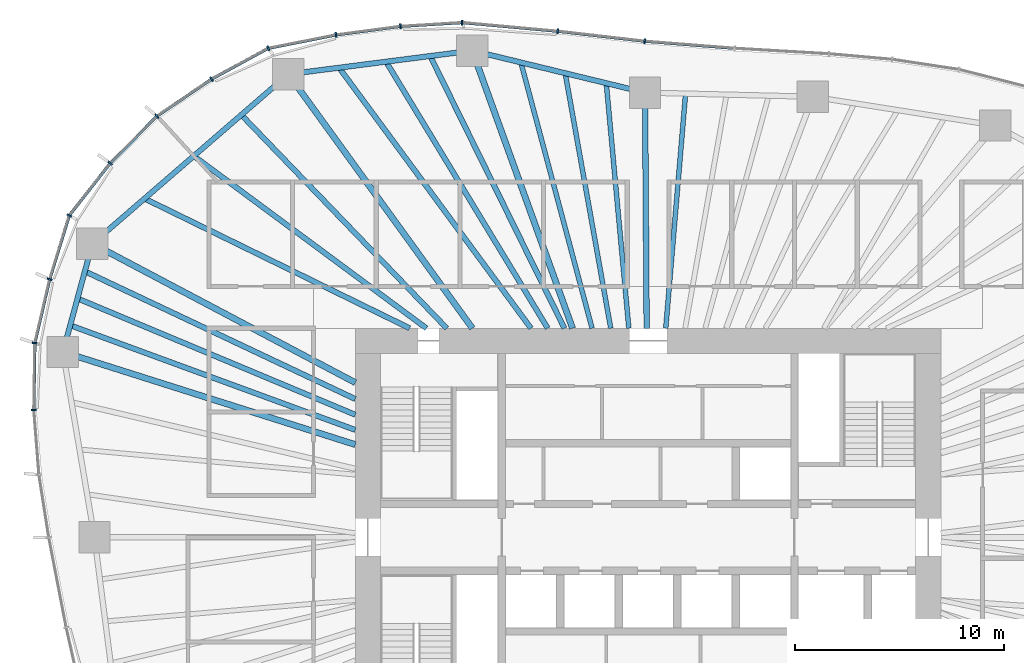
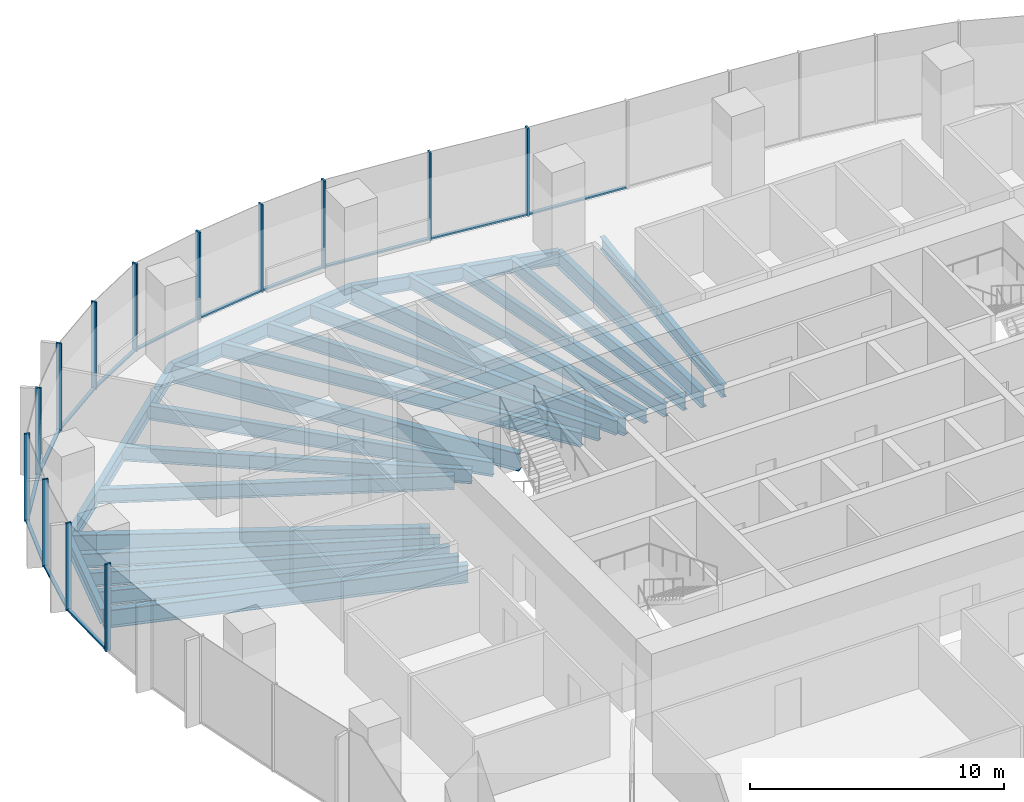
# One storey, part 5 of 18: 26 members, 22 beams, 6 elements without a shape of their own.
"""IFC4 building model written with IfcOpenShell, lengths in metres."""

import ifcopenshell
import ifcopenshell.guid

model = None  # the IFC model being written
_history = None  # IfcOwnerHistory: only IFC2X3 demands one
_inside = {}  # id of a spatial element -> (the spatial element, [elements in it])
_under = {}  # id of a project, library or spatial element -> (it, [spatial elements below it])
_declared = {}  # id of a project -> (the project, [libraries it declares])
_typed = {}  # id of a type object -> (the type object, [elements of that type])
_made_of = {}  # id of a material, layer set ... -> (it, [elements and type objects made of it])


def new_model(schema):
    """Start an empty IFC model of exactly this schema.

    Asked for "IFC4X3", IfcOpenShell would pick the latest addendum, in which some entities
    have other attributes; the version numbers below select the first issue.
    IFC2X3 requires an IfcOwnerHistory on every rooted entity: one is made here for all.
    """
    global model, _history
    if schema == "IFC4X3":
        model = ifcopenshell.file(schema_version=(4, 3, 0, 0))
    else:
        model = ifcopenshell.file(schema=schema)
    _inside.clear()
    _under.clear()
    _declared.clear()
    _typed.clear()
    _made_of.clear()
    _history = None
    if model.schema == "IFC2X3":
        org = make("IfcOrganization", Name="unknown")
        user = make(
            "IfcPersonAndOrganization",
            ThePerson=make("IfcPerson", FamilyName="unknown"),
            TheOrganization=org,
        )
        app = make(
            "IfcApplication",
            ApplicationDeveloper=org,
            Version="unknown",
            ApplicationFullName="unknown",
            ApplicationIdentifier="unknown",
        )
        _history = make(
            "IfcOwnerHistory",
            OwningUser=user,
            OwningApplication=app,
            ChangeAction="ADDED",
            CreationDate=0,
        )
    return model


def make(cls, **values):
    """One entity of the class cls with the attributes given. An attribute that is None is left unset."""
    return model.create_entity(
        cls, **{name: value for name, value in values.items() if value is not None}
    )


def rooted(cls, **values):
    """An entity with a GlobalId (a new one), such as an element, a storey or a relation."""
    return make(cls, GlobalId=ifcopenshell.guid.new(), OwnerHistory=_history, **values)


def si_unit(unit_type, name, prefix=None):
    """IfcSIUnit, for example si_unit("LENGTHUNIT", "METRE", prefix="MILLI")."""
    return make("IfcSIUnit", UnitType=unit_type, Prefix=prefix, Name=name)


def assignment(units):
    """IfcUnitAssignment: the units of a project."""
    return None if units is None else make("IfcUnitAssignment", Units=units)


def point(xyz):
    """IfcCartesianPoint."""
    return None if xyz is None else make("IfcCartesianPoint", Coordinates=xyz)


def direction(xyz):
    """IfcDirection."""
    return None if xyz is None else make("IfcDirection", DirectionRatios=xyz)


def frame(location, z_axis=None, x_axis=None):
    """IfcAxis2Placement3D, a coordinate frame: its origin and axes. An axis left out is left unset."""
    return make(
        "IfcAxis2Placement3D",
        Location=point(location),
        Axis=direction(z_axis),
        RefDirection=direction(x_axis),
    )


def frame_2d(location, x_axis=None):
    """IfcAxis2Placement2D, a coordinate frame in the plane: its origin and x axis."""
    return make(
        "IfcAxis2Placement2D", Location=point(location), RefDirection=direction(x_axis)
    )


def origin():
    """The frame at (0, 0, 0) with its axes left unset."""
    return frame((0.0, 0.0, 0.0))


def origin_2d():
    """The frame at (0, 0) in the plane with its x axis left unset."""
    return frame_2d((0.0, 0.0))


def place(relative_to, where):
    """IfcLocalPlacement: puts the frame where relative to a parent placement (None: the world)."""
    return make(
        "IfcLocalPlacement", PlacementRelTo=relative_to, RelativePlacement=where
    )


def context(
    kind, dimensions, precision=None, world=None, true_north=None, identifier=None
):
    """IfcGeometricRepresentationContext, for example the 3D "Model" context."""
    return make(
        "IfcGeometricRepresentationContext",
        ContextIdentifier=identifier,
        ContextType=kind,
        CoordinateSpaceDimension=dimensions,
        Precision=precision,
        WorldCoordinateSystem=world,
        TrueNorth=true_north,
    )


def subcontext(parent, identifier, kind, view, scale=None):
    """IfcGeometricRepresentationSubContext, for example "Body" below "Model"."""
    return make(
        "IfcGeometricRepresentationSubContext",
        ContextIdentifier=identifier,
        ContextType=kind,
        ParentContext=parent,
        TargetScale=scale,
        TargetView=view,
    )


def project(units=None, contexts=None):
    """IfcProject with its units and contexts."""
    return rooted(
        "IfcProject",
        Name="project",
        RepresentationContexts=contexts,
        UnitsInContext=assignment(units),
    )


def spatial(cls, under=None, at=None, **own):
    """A site, building, storey or space (cls), placed at a placement, below another one or the project."""
    s = rooted(cls, ObjectPlacement=at, **own)
    if under is not None:
        _under.setdefault(under.id(), (under, []))[1].append(s)
    return s


def profile(cls, at=None, kind="AREA", **sizes):
    """A parametric profile (cls). Its sizes go by their IFC names, for example OverallWidth=200.0."""
    return make(cls, ProfileType=kind, Position=at, **sizes)


def rectangle(**sizes):
    """IfcRectangleProfileDef."""
    return profile("IfcRectangleProfileDef", **sizes)


def i_section(**sizes):
    """IfcIShapeProfileDef."""
    return profile("IfcIShapeProfileDef", **sizes)


def extrude(swept, where, along, depth):
    """IfcExtrudedAreaSolid: the profile swept, set in the frame where, extruded along a direction by depth."""
    return make(
        "IfcExtrudedAreaSolid",
        SweptArea=swept,
        Position=where,
        ExtrudedDirection=direction(along),
        Depth=depth,
    )


def shape(context_of_items, identifier, shape_type, items):
    """IfcShapeRepresentation: the items that make up one representation, for example the "Body"."""
    return make(
        "IfcShapeRepresentation",
        ContextOfItems=context_of_items,
        RepresentationIdentifier=identifier,
        RepresentationType=shape_type,
        Items=items,
    )


def material(Name=None, Category=None):
    """IfcMaterial."""
    return make("IfcMaterial", Name=Name, Category=Category)


def material_profile(
    of_material, cross_section, Name=None, Category=None, Priority=None
):
    """IfcMaterialProfile: a cross section and its material."""
    return make(
        "IfcMaterialProfile",
        Name=Name,
        Material=of_material,
        Profile=cross_section,
        Priority=Priority,
        Category=Category,
    )


def profile_set(profiles, Name=None, composite=None):
    """IfcMaterialProfileSet."""
    return make(
        "IfcMaterialProfileSet",
        Name=Name,
        MaterialProfiles=profiles,
        CompositeProfile=composite,
    )


def made_of(thing, what):
    """Note that an element or type object is made of a material, layer set ...; save() writes the relation."""
    if what is not None:
        _made_of.setdefault(what.id(), (what, []))[1].append(thing)
    return thing


def type_object(cls, material=None, **own):
    """A type object (cls), such as IfcWallType, which elements share."""
    return made_of(rooted(cls, **own), material)


def element(
    cls,
    number,
    at=None,
    inside=None,
    cuts=None,
    type_object=None,
    material=None,
    context=None,
    identifier="Body",
    shape_type=None,
    held_by="IfcProductDefinitionShape",
    body=None,
    shapes=None,
    **own,
):
    """One element of the class cls, such as IfcWall. Its Tag is "e" and its number.

    at: its placement. inside: the storey or other place that contains it. cuts: it is an
    opening in that element (IfcRelVoidsElement). A single representation is given by context,
    identifier, shape_type and body (its items); several are given by shapes. held_by: the class
    of the entity that holds the representations. save() writes the other relations.
    """
    e = rooted(cls, Tag="e%d" % number, ObjectPlacement=at, **own)
    if body is not None:
        shapes = [shape(context, identifier, shape_type, body)]
    if shapes is not None:
        e.Representation = make(held_by, Representations=shapes)
    if inside is not None:
        _inside.setdefault(inside.id(), (inside, []))[1].append(e)
    if cuts is not None:
        rooted(
            "IfcRelVoidsElement", RelatingBuildingElement=cuts, RelatedOpeningElement=e
        )
    if type_object is not None:
        _typed.setdefault(type_object.id(), (type_object, []))[1].append(e)
    return made_of(e, material)


def aggregate(whole, parts):
    """IfcRelAggregates: a whole, such as a stair, and the parts it consists of."""
    return rooted("IfcRelAggregates", RelatingObject=whole, RelatedObjects=parts)


def save(model, path):
    """Write the relations noted so far, then the file.

    IfcRelAggregates (storeys below a building ...), IfcRelContainedInSpatialStructure (elements
    in a storey), IfcRelDefinesByType, IfcRelAssociatesMaterial and IfcRelDeclares: one each for
    every whole, place, type object, material and project.
    """
    for whole, parts in _under.values():
        aggregate(whole, parts)
    for where, things in _inside.values():
        rooted(
            "IfcRelContainedInSpatialStructure",
            RelatedElements=things,
            RelatingStructure=where,
        )
    for kind, things in _typed.values():
        rooted("IfcRelDefinesByType", RelatedObjects=things, RelatingType=kind)
    for what, things in _made_of.values():
        rooted("IfcRelAssociatesMaterial", RelatedObjects=things, RelatingMaterial=what)
    for by, libraries in _declared.values():
        rooted("IfcRelDeclares", RelatingContext=by, RelatedDefinitions=libraries)
    model.write(path)


model = new_model("IFC4")

# Units and contexts
model_context = context("Model", 3, precision=1e-05, world=origin(), true_north=direction((0.0, 1.0)))
body_context = subcontext(model_context, "Body", "Model", "MODEL_VIEW")
ifc_project = project(units=[si_unit("LENGTHUNIT", "METRE"), si_unit("AREAUNIT", "SQUARE_METRE"), si_unit("VOLUMEUNIT", "CUBIC_METRE"), si_unit("PLANEANGLEUNIT", "RADIAN"), si_unit("MASSUNIT", "GRAM", prefix="KILO")], contexts=[model_context])

# Site, building, storey
site_placement = place(None, origin())
site = spatial("IfcSite", under=ifc_project, at=site_placement, CompositionType="ELEMENT")
building_placement = place(site_placement, origin())
building = spatial("IfcBuilding", under=site, at=building_placement, Name="Ghaith Harvest Tower", CompositionType="ELEMENT")
storey_placement = place(building_placement, frame((0.0, 0.0, 134.39990234375)))
storey = spatial("IfcBuildingStorey", under=building, at=storey_placement, Name="L28", CompositionType="ELEMENT", Elevation=134.39990234375)

# Curtain wall, members
ifc_material_1 = material(Name="Black anodised aluminium and fritted glass", Category="aluminium")
curtain_wall_type = type_object("IfcCurtainWallType", Name="CW-L CURTAIN WALL", PredefinedType="NOTDEFINED", material=ifc_material_1)
curtain_wall_1_placement = place(storey_placement, origin())
curtain_wall_1 = element("IfcCurtainWall", 1, at=curtain_wall_1_placement, inside=storey, type_object=curtain_wall_type, Name="Curtain wall CW-L bay 06 L28", PredefinedType="NOTDEFINED")
ifc_material_2 = material(Name="Aluminium, black anodised", Category="aluminium")
ifc_material_profile_1 = material_profile(ifc_material_2, rectangle(XDim=0.080078125, YDim=0.239990234375, at=origin_2d()), Name="CW-L MULLION 80x240")
ifc_profile_set_1 = profile_set([ifc_material_profile_1], Name="Aluminium, black anodised")
member_type_1 = type_object("IfcMemberType", Name="CW-L MULLION 80x240", PredefinedType="MULLION", material=ifc_profile_set_1)
member_1_placement = place(storey_placement, frame((-0.162353515625, 23.729736328125, 0.0), z_axis=(0.0, 0.0, 1.0), x_axis=(-0.995388088953, 0.095929934691, 0.0)))
member_1 = element("IfcMember", 2, at=member_1_placement, type_object=member_type_1, Name="CW-L mullion 1 bay 06 L28", PredefinedType="MULLION", context=body_context, shape_type="SweptSolid", body=[
    extrude(rectangle(XDim=0.080078125, YDim=0.239990234375, at=origin_2d()), origin(), (0.0, 0.0, 1.0), 4.2001953125),
])
member_2_placement = place(storey_placement, frame((-4.322998046875, 24.207275390625, 0.0), z_axis=(0.0, 0.0, 1.0), x_axis=(-0.994830371571, 0.101550636625, 0.0)))
member_2 = element("IfcMember", 3, at=member_2_placement, type_object=member_type_1, Name="CW-L mullion 2 bay 06 L28", PredefinedType="MULLION", context=body_context, shape_type="SweptSolid", body=[
    extrude(rectangle(XDim=0.080078125, YDim=0.239990234375, at=origin_2d()), origin(), (0.0, 0.0, 1.0), 4.2001953125),
])

curtain_wall_2_placement = place(storey_placement, origin())
curtain_wall_2 = element("IfcCurtainWall", 4, at=curtain_wall_2_placement, inside=storey, type_object=curtain_wall_type, Name="Curtain wall CW-L bay 07 L28", PredefinedType="NOTDEFINED")
member_3_placement = place(storey_placement, frame((-8.892578125, 24.620849609375, 0.0), z_axis=(0.0, 0.0, 1.0), x_axis=(-0.999522209385, 0.030908784286, 0.0)))
member_3 = element("IfcMember", 5, at=member_3_placement, type_object=member_type_1, Name="CW-L mullion 1 bay 07 L28", PredefinedType="MULLION", context=body_context, shape_type="SweptSolid", body=[
    extrude(rectangle(XDim=0.080078125, YDim=0.239990234375, at=origin_2d()), origin(), (0.0, 0.0, 1.0), 4.2001953125),
])
member_4_placement = place(storey_placement, frame((-11.841064453125, 24.439697265625, 0.0), z_axis=(0.0, 0.0, 1.0), x_axis=(-0.995237520168, -0.097479630949, 0.0)))
member_4 = element("IfcMember", 6, at=member_4_placement, type_object=member_type_1, Name="CW-L mullion 2 bay 07 L28", PredefinedType="MULLION", context=body_context, shape_type="SweptSolid", body=[
    extrude(rectangle(XDim=0.080078125, YDim=0.239990234375, at=origin_2d()), origin(), (0.0, 0.0, 1.0), 4.2001953125),
])
member_5_placement = place(storey_placement, frame((-14.923828125, 24.030029296875, 0.0), z_axis=(0.0, 0.0, 1.0), x_axis=(-0.986494514812, -0.163794298578, 0.0)))
member_5 = element("IfcMember", 7, at=member_5_placement, type_object=member_type_1, Name="CW-L mullion 3 bay 07 L28", PredefinedType="MULLION", context=body_context, shape_type="SweptSolid", body=[
    extrude(rectangle(XDim=0.080078125, YDim=0.239990234375, at=origin_2d()), origin(), (0.0, 0.0, 1.0), 4.2001953125),
])

curtain_wall_3_placement = place(storey_placement, origin())
curtain_wall_3 = element("IfcCurtainWall", 8, at=curtain_wall_3_placement, inside=storey, type_object=curtain_wall_type, Name="Curtain wall CW-L bay 08 L28", PredefinedType="NOTDEFINED")
member_6_placement = place(storey_placement, frame((-18.165283203125, 23.3896484375, 0.0), z_axis=(0.0, 0.0, 1.0), x_axis=(-0.942103541202, -0.335322110298, 0.0)))
member_6 = element("IfcMember", 9, at=member_6_placement, type_object=member_type_1, Name="CW-L mullion 1 bay 08 L28", PredefinedType="MULLION", context=body_context, shape_type="SweptSolid", body=[
    extrude(rectangle(XDim=0.080078125, YDim=0.239990234375, at=origin_2d()), origin(), (0.0, 0.0, 1.0), 4.2001953125),
])
member_7_placement = place(storey_placement, frame((-20.87548828125, 21.91162109375, 0.0), z_axis=(0.0, 0.0, 1.0), x_axis=(-0.853515864435, -0.521066856707, 0.0)))
member_7 = element("IfcMember", 10, at=member_7_placement, type_object=member_type_1, Name="CW-L mullion 2 bay 08 L28", PredefinedType="MULLION", context=body_context, shape_type="SweptSolid", body=[
    extrude(rectangle(XDim=0.080078125, YDim=0.239990234375, at=origin_2d()), origin(), (0.0, 0.0, 1.0), 4.2001953125),
])
member_8_placement = place(storey_placement, frame((-23.489501953125, 20.13916015625, 0.0), z_axis=(0.0, 0.0, 1.0), x_axis=(-0.769682554376, -0.638426789451, 0.0)))
member_8 = element("IfcMember", 11, at=member_8_placement, type_object=member_type_1, Name="CW-L mullion 3 bay 08 L28", PredefinedType="MULLION", context=body_context, shape_type="SweptSolid", body=[
    extrude(rectangle(XDim=0.080078125, YDim=0.239990234375, at=origin_2d()), origin(), (0.0, 0.0, 1.0), 4.2001953125),
])

curtain_wall_4_placement = place(storey_placement, origin())
curtain_wall_4 = element("IfcCurtainWall", 12, at=curtain_wall_4_placement, inside=storey, type_object=curtain_wall_type, Name="Curtain wall CW-L bay 09 L28", PredefinedType="NOTDEFINED")
member_9_placement = place(storey_placement, frame((-25.718017578125, 17.894775390625, 0.0), z_axis=(0.0, 0.0, 1.0), x_axis=(-0.661903840688, -0.749588757708, 0.0)))
member_9 = element("IfcMember", 13, at=member_9_placement, type_object=member_type_1, Name="CW-L mullion 1 bay 09 L28", PredefinedType="MULLION", context=body_context, shape_type="SweptSolid", body=[
    extrude(rectangle(XDim=0.080078125, YDim=0.239990234375, at=origin_2d()), origin(), (0.0, 0.0, 1.0), 4.2001953125),
])
member_10_placement = place(storey_placement, frame((-27.67919921875, 15.39453125, 0.0), z_axis=(0.0, 0.0, 1.0), x_axis=(-0.462889784298, -0.886415843491, 0.0)))
member_10 = element("IfcMember", 14, at=member_10_placement, type_object=member_type_1, Name="CW-L mullion 2 bay 09 L28", PredefinedType="MULLION", context=body_context, shape_type="SweptSolid", body=[
    extrude(rectangle(XDim=0.080078125, YDim=0.239990234375, at=origin_2d()), origin(), (0.0, 0.0, 1.0), 4.2001953125),
])
member_11_placement = place(storey_placement, frame((-28.61669921875, 12.343994140625, 0.0), z_axis=(0.0, 0.0, 1.0), x_axis=(-0.260727312416, -0.965412486226, 0.0)))
member_11 = element("IfcMember", 15, at=member_11_placement, type_object=member_type_1, Name="CW-L mullion 3 bay 09 L28", PredefinedType="MULLION", context=body_context, shape_type="SweptSolid", body=[
    extrude(rectangle(XDim=0.080078125, YDim=0.239990234375, at=origin_2d()), origin(), (0.0, 0.0, 1.0), 4.2001953125),
])

curtain_wall_5_placement = place(storey_placement, origin())
curtain_wall_5 = element("IfcCurtainWall", 16, at=curtain_wall_5_placement, inside=storey, type_object=curtain_wall_type, Name="Curtain wall CW-L bay 10 L28", PredefinedType="NOTDEFINED")
member_12_placement = place(storey_placement, frame((-29.32666015625, 9.294189453125, 0.0), z_axis=(0.0, 0.0, 1.0), x_axis=(-0.120932140225, -0.99266077663, 0.0)))
member_12 = element("IfcMember", 17, at=member_12_placement, type_object=member_type_1, Name="CW-L mullion 1 bay 10 L28", PredefinedType="MULLION", context=body_context, shape_type="SweptSolid", body=[
    extrude(rectangle(XDim=0.080078125, YDim=0.239990234375, at=origin_2d()), origin(), (0.0, 0.0, 1.0), 4.2001953125),
])
member_13_placement = place(storey_placement, frame((-29.3779296875, 6.09619140625, 0.0), z_axis=(0.0, 0.0, 1.0), x_axis=(0.031027769448, -0.999518522851, 0.0)))
member_13 = element("IfcMember", 18, at=member_13_placement, type_object=member_type_1, Name="CW-L mullion 2 bay 10 L28", PredefinedType="MULLION", context=body_context, shape_type="SweptSolid", body=[
    extrude(rectangle(XDim=0.080078125, YDim=0.239990234375, at=origin_2d()), origin(), (0.0, 0.0, 1.0), 4.2001953125),
])

# Curtain wall, member
curtain_wall_6_placement = place(storey_placement, origin())
curtain_wall_6 = element("IfcCurtainWall", 19, at=curtain_wall_6_placement, inside=storey, type_object=curtain_wall_type, Name="Curtain wall CW-L bay 05 L28", PredefinedType="NOTDEFINED")
ifc_material_3 = material(Name="Aluminium, black anodised", Category="aluminium")
ifc_material_profile_2 = material_profile(ifc_material_3, rectangle(XDim=0.14990234375, YDim=0.080078125, at=origin_2d()), Name="CW-L TRANSOM 150x80")
ifc_profile_set_2 = profile_set([ifc_material_profile_2], Name="Aluminium, black anodised")
member_type_2 = type_object("IfcMemberType", Name="CW-L TRANSOM 150x80", PredefinedType="USERDEFINED", material=ifc_profile_set_2)
member_14_placement = place(storey_placement, frame((4.106689453125, 23.39404296875, 0.0400390625), z_axis=(-0.996923406046, 0.078381901463, 0.0), x_axis=(-0.078381901463, -0.996923406046, 0.0)))
member_14 = element("IfcMember", 20, at=member_14_placement, type_object=member_type_2, Name="CW-L transom 2 bay 05 L28", ObjectType="TRANSOM", PredefinedType="USERDEFINED", context=body_context, shape_type="SweptSolid", body=[
    extrude(rectangle(XDim=0.14990234375, YDim=0.080078125, at=origin_2d()), origin(), (0.0, 0.0, 1.0), 4.2421875),
])
aggregate(curtain_wall_6, [member_14])

# Member
member_15_placement = place(storey_placement, frame((-0.2021484375, 23.734130859375, 0.0400390625), z_axis=(-0.993474883942, 0.114051106861, 0.0), x_axis=(-0.114051106861, -0.993474883942, 0.0)))
member_15 = element("IfcMember", 21, at=member_15_placement, type_object=member_type_2, Name="CW-L transom 1 bay 06 L28", ObjectType="TRANSOM", PredefinedType="USERDEFINED", context=body_context, shape_type="SweptSolid", body=[
    extrude(rectangle(XDim=0.14990234375, YDim=0.080078125, at=origin_2d()), origin(), (0.0, 0.0, 1.0), 4.10791015625),
])

member_16_placement = place(storey_placement, frame((-4.36279296875, 24.210693359375, 0.0400390625), z_axis=(-0.995926431676, 0.090169521954, 0.0), x_axis=(-0.090169521954, -0.995926431676, 0.0)))
member_16 = element("IfcMember", 22, at=member_16_placement, type_object=member_type_2, Name="CW-L transom 2 bay 06 L28", ObjectType="TRANSOM", PredefinedType="USERDEFINED", context=body_context, shape_type="SweptSolid", body=[
    extrude(rectangle(XDim=0.14990234375, YDim=0.080078125, at=origin_2d()), origin(), (0.0, 0.0, 1.0), 4.508056640625),
])

aggregate(curtain_wall_1, [member_1, member_15, member_2, member_16])

member_17_placement = place(storey_placement, frame((-8.932373046875, 24.618408203125, 0.0400390625), z_axis=(-0.998117793577, -0.061325933705, 0.0), x_axis=(0.061325933705, -0.998117793577, 0.0)))
member_17 = element("IfcMember", 23, at=member_17_placement, type_object=member_type_2, Name="CW-L transom 1 bay 07 L28", ObjectType="TRANSOM", PredefinedType="USERDEFINED", context=body_context, shape_type="SweptSolid", body=[
    extrude(rectangle(XDim=0.14990234375, YDim=0.080078125, at=origin_2d()), origin(), (0.0, 0.0, 1.0), 2.874267578125),
])

member_18_placement = place(storey_placement, frame((-11.880859375, 24.434326171875, 0.0400390625), z_axis=(-0.991293929443, -0.131667556553, 0.0), x_axis=(0.131667556553, -0.991293929443, 0.0)))
member_18 = element("IfcMember", 24, at=member_18_placement, type_object=member_type_2, Name="CW-L transom 2 bay 07 L28", ObjectType="TRANSOM", PredefinedType="USERDEFINED", context=body_context, shape_type="SweptSolid", body=[
    extrude(rectangle(XDim=0.14990234375, YDim=0.080078125, at=origin_2d()), origin(), (0.0, 0.0, 1.0), 3.02978515625),
])

member_19_placement = place(storey_placement, frame((-14.963134765625, 24.022216796875, 0.0400390625), z_axis=(-0.98104391994, -0.19378551842, 0.0), x_axis=(0.19378551842, -0.98104391994, 0.0)))
member_19 = element("IfcMember", 25, at=member_19_placement, type_object=member_type_2, Name="CW-L transom 3 bay 07 L28", ObjectType="TRANSOM", PredefinedType="USERDEFINED", context=body_context, shape_type="SweptSolid", body=[
    extrude(rectangle(XDim=0.14990234375, YDim=0.080078125, at=origin_2d()), origin(), (0.0, 0.0, 1.0), 3.223876953125),
])

aggregate(curtain_wall_2, [member_3, member_17, member_4, member_18, member_5, member_19])

member_20_placement = place(storey_placement, frame((-18.200439453125, 23.37060546875, 0.0400390625), z_axis=(-0.877929702377, -0.478789554695, 0.0), x_axis=(0.478789554695, -0.877929702377, 0.0)))
member_20 = element("IfcMember", 26, at=member_20_placement, type_object=member_type_2, Name="CW-L transom 1 bay 08 L28", ObjectType="TRANSOM", PredefinedType="USERDEFINED", context=body_context, shape_type="SweptSolid", body=[
    extrude(rectangle(XDim=0.14990234375, YDim=0.080078125, at=origin_2d()), origin(), (0.0, 0.0, 1.0), 3.0068359375),
])

member_21_placement = place(storey_placement, frame((-20.908447265625, 21.88916015625, 0.0400390625), z_axis=(-0.827681025079, -0.561198824593, 0.0), x_axis=(0.561198824593, -0.827681025079, 0.0)))
member_21 = element("IfcMember", 27, at=member_21_placement, type_object=member_type_2, Name="CW-L transom 2 bay 08 L28", ObjectType="TRANSOM", PredefinedType="USERDEFINED", context=body_context, shape_type="SweptSolid", body=[
    extrude(rectangle(XDim=0.14990234375, YDim=0.080078125, at=origin_2d()), origin(), (0.0, 0.0, 1.0), 3.078369140625),
])

member_22_placement = place(storey_placement, frame((-23.517578125, 20.11083984375, 0.0400390625), z_axis=(-0.704647577514, -0.709557461735, 0.0), x_axis=(0.709557461735, -0.704647577514, 0.0)))
member_22 = element("IfcMember", 28, at=member_22_placement, type_object=member_type_2, Name="CW-L transom 3 bay 08 L28", ObjectType="TRANSOM", PredefinedType="USERDEFINED", context=body_context, shape_type="SweptSolid", body=[
    extrude(rectangle(XDim=0.14990234375, YDim=0.080078125, at=origin_2d()), origin(), (0.0, 0.0, 1.0), 3.0830078125),
])

aggregate(curtain_wall_3, [member_6, member_20, member_7, member_21, member_8, member_22])

member_23_placement = place(storey_placement, frame((-25.74267578125, 17.86328125, 0.0400390625), z_axis=(-0.617198298797, -0.786807638474, 0.0), x_axis=(0.786807638474, -0.617198298797, 0.0)))
member_23 = element("IfcMember", 29, at=member_23_placement, type_object=member_type_2, Name="CW-L transom 1 bay 09 L28", ObjectType="TRANSOM", PredefinedType="USERDEFINED", context=body_context, shape_type="SweptSolid", body=[
    extrude(rectangle(XDim=0.14990234375, YDim=0.080078125, at=origin_2d()), origin(), (0.0, 0.0, 1.0), 3.09765625),
])

member_24_placement = place(storey_placement, frame((-27.69091796875, 15.356201171875, 0.0400390625), z_axis=(-0.293777058804, -0.955873966441, 0.0), x_axis=(0.955873966441, -0.293777058804, 0.0)))
member_24 = element("IfcMember", 30, at=member_24_placement, type_object=member_type_2, Name="CW-L transom 2 bay 09 L28", ObjectType="TRANSOM", PredefinedType="USERDEFINED", context=body_context, shape_type="SweptSolid", body=[
    extrude(rectangle(XDim=0.14990234375, YDim=0.080078125, at=origin_2d()), origin(), (0.0, 0.0, 1.0), 3.111328125),
])

member_25_placement = place(storey_placement, frame((-28.6259765625, 12.304931640625, 0.0400390625), z_axis=(-0.226670598607, -0.973971477882, 0.0), x_axis=(0.973971477882, -0.226670598607, 0.0)))
member_25 = element("IfcMember", 31, at=member_25_placement, type_object=member_type_2, Name="CW-L transom 3 bay 09 L28", ObjectType="TRANSOM", PredefinedType="USERDEFINED", context=body_context, shape_type="SweptSolid", body=[
    extrude(rectangle(XDim=0.14990234375, YDim=0.080078125, at=origin_2d()), origin(), (0.0, 0.0, 1.0), 3.05126953125),
])

aggregate(curtain_wall_4, [member_9, member_23, member_10, member_24, member_11, member_25])

member_26_placement = place(storey_placement, frame((-29.327392578125, 9.254150390625, 0.0400390625), z_axis=(-0.015971652868, -0.999872445017, 0.0), x_axis=(0.999872445017, -0.015971652868, 0.0)))
member_26 = element("IfcMember", 32, at=member_26_placement, type_object=member_type_2, Name="CW-L transom 1 bay 10 L28", ObjectType="TRANSOM", PredefinedType="USERDEFINED", context=body_context, shape_type="SweptSolid", body=[
    extrude(rectangle(XDim=0.14990234375, YDim=0.080078125, at=origin_2d()), origin(), (0.0, 0.0, 1.0), 3.118408203125),
])

aggregate(curtain_wall_5, [member_12, member_26, member_13])

# Beams
ifc_material_4 = material(Name="Steel ASTM A992 Grade 50", Category="steel")
ifc_material_profile_3 = material_profile(ifc_material_4, i_section(OverallWidth=0.25390625, OverallDepth=0.68408203125, WebThickness=0.012451171875, FlangeThickness=0.018798828125, at=origin_2d()), Name="W690X140")
ifc_profile_set_3 = profile_set([ifc_material_profile_3], Name="Steel ASTM A992 Grade 50")
beam_type_1 = type_object("IfcBeamType", Name="E690-140 W690X140", PredefinedType="SPANDREL", material=ifc_profile_set_3)
beam_1_placement = place(storey_placement, frame((-0.14599609375, 21.27099609375, -0.511962890625), z_axis=(-0.971790293477, 0.235846614358, 0.0), x_axis=(-0.235846614358, -0.971790293477, 0.0)))
element("IfcBeam", 33, at=beam_1_placement, inside=storey, type_object=beam_type_1, Name="Edge beam E06 L28", PredefinedType="SPANDREL", context=body_context, shape_type="SweptSolid", body=[
    extrude(i_section(OverallWidth=0.25390625, OverallDepth=0.68408203125, WebThickness=0.012451171875, FlangeThickness=0.018798828125, at=origin_2d()), origin(), (0.0, 0.0, 1.0), 8.500732421875),
])
beam_2_placement = place(storey_placement, frame((-8.406982421875, 23.27587890625, -0.511962890625), z_axis=(-0.991904090065, -0.126989275577, 0.0), x_axis=(0.126989275577, -0.991904090065, 0.0)))
element("IfcBeam", 34, at=beam_2_placement, inside=storey, type_object=beam_type_1, Name="Edge beam E07 L28", PredefinedType="SPANDREL", context=body_context, shape_type="SweptSolid", body=[
    extrude(i_section(OverallWidth=0.25390625, OverallDepth=0.68408203125, WebThickness=0.012451171875, FlangeThickness=0.018798828125, at=origin_2d()), origin(), (0.0, 0.0, 1.0), 8.86669921875),
])
beam_3_placement = place(storey_placement, frame((-17.201904296875, 22.14990234375, -0.511962890625), z_axis=(-0.756392158274, -0.654118416574, 0.0), x_axis=(0.654118416574, -0.756392158274, 0.0)))
element("IfcBeam", 35, at=beam_3_placement, inside=storey, type_object=beam_type_1, Name="Edge beam E08 L28", PredefinedType="SPANDREL", context=body_context, shape_type="SweptSolid", body=[
    extrude(i_section(OverallWidth=0.25390625, OverallDepth=0.68408203125, WebThickness=0.012451171875, FlangeThickness=0.018798828125, at=origin_2d()), origin(), (0.0, 0.0, 1.0), 12.38916015625),
])
beam_4_placement = place(storey_placement, frame((-26.572998046875, 14.0458984375, -0.511962890625), z_axis=(-0.262724740433, -0.964870825947, 0.0), x_axis=(0.964870825947, -0.262724740433, 0.0)))
element("IfcBeam", 36, at=beam_4_placement, inside=storey, type_object=beam_type_1, Name="Edge beam E09 L28", PredefinedType="SPANDREL", context=body_context, shape_type="SweptSolid", body=[
    extrude(i_section(OverallWidth=0.25390625, OverallDepth=0.68408203125, WebThickness=0.012451171875, FlangeThickness=0.018798828125, at=origin_2d()), origin(), (0.0, 0.0, 1.0), 5.366455078125),
])
ifc_material_5 = material(Name="Steel ASTM A992 Grade 50", Category="steel")
ifc_material_profile_4 = material_profile(ifc_material_5, i_section(OverallWidth=0.26806640625, OverallDepth=0.77001953125, WebThickness=0.015625, FlangeThickness=0.025390625, at=origin_2d()), Name="W760X196")
ifc_profile_set_4 = profile_set([ifc_material_profile_4], Name="Steel ASTM A992 Grade 50")
beam_type_2 = type_object("IfcBeamType", Name="G760-196 W760X196", PredefinedType="BEAM", material=ifc_profile_set_4)
beam_5_placement = place(storey_placement, frame((-0.068359375, 10.0, -0.554931640625), z_axis=(-0.006888022705, 0.99997627729, 0.0), x_axis=(-0.99997627729, -0.006888022705, 0.0)))
element("IfcBeam", 37, at=beam_5_placement, inside=storey, type_object=beam_type_2, Name="Radial girder G06 L28", PredefinedType="BEAM", context=body_context, shape_type="SweptSolid", body=[
    extrude(i_section(OverallWidth=0.26806640625, OverallDepth=0.77001953125, WebThickness=0.015625, FlangeThickness=0.025390625, at=origin_2d()), origin(), (0.0, 0.0, 1.0), 11.271240234375),
])
ifc_material_6 = material(Name="Steel ASTM A992 Grade 50", Category="steel")
ifc_material_profile_5 = material_profile(ifc_material_6, i_section(OverallWidth=0.2939453125, OverallDepth=0.85107421875, WebThickness=0.01611328125, FlangeThickness=0.02685546875, at=origin_2d()), Name="W840X226")
ifc_profile_set_5 = profile_set([ifc_material_profile_5], Name="Steel ASTM A992 Grade 50")
beam_type_3 = type_object("IfcBeamType", Name="G840-226 W840X226", PredefinedType="BEAM", material=ifc_profile_set_5)
beam_6_placement = place(storey_placement, frame((-3.61181640625, 10.0, -0.595458984375), z_axis=(-0.339713316819, 0.940529033245, 0.0), x_axis=(-0.940529033245, -0.339713316819, 0.0)))
element("IfcBeam", 38, at=beam_6_placement, inside=storey, type_object=beam_type_3, Name="Radial girder G07 L28", PredefinedType="BEAM", context=body_context, shape_type="SweptSolid", body=[
    extrude(i_section(OverallWidth=0.2939453125, OverallDepth=0.85107421875, WebThickness=0.01611328125, FlangeThickness=0.02685546875, at=origin_2d()), origin(), (0.0, 0.0, 1.0), 14.115234375),
])
beam_7_placement = place(storey_placement, frame((-8.39990234375, 10.0, -0.595458984375), z_axis=(-0.586675813287, 0.809821887889, 0.0), x_axis=(-0.809821887889, -0.586675813287, 0.0)))
element("IfcBeam", 39, at=beam_7_placement, inside=storey, type_object=beam_type_3, Name="Radial girder G08 L28", PredefinedType="BEAM", context=body_context, shape_type="SweptSolid", body=[
    extrude(i_section(OverallWidth=0.2939453125, OverallDepth=0.85107421875, WebThickness=0.01611328125, FlangeThickness=0.02685546875, at=origin_2d()), origin(), (0.0, 0.0, 1.0), 15.003173828125),
])
beam_8_placement = place(storey_placement, frame((-14.0, 7.39990234375, -0.595458984375), z_axis=(-0.88408713845, 0.467322085533, 0.0), x_axis=(-0.467322085533, -0.88408713845, 0.0)))
element("IfcBeam", 40, at=beam_8_placement, inside=storey, type_object=beam_type_3, Name="Radial girder G09 L28", PredefinedType="BEAM", context=body_context, shape_type="SweptSolid", body=[
    extrude(i_section(OverallWidth=0.2939453125, OverallDepth=0.85107421875, WebThickness=0.01611328125, FlangeThickness=0.02685546875, at=origin_2d()), origin(), (0.0, 0.0, 1.0), 14.221435546875),
])
beam_9_placement = place(storey_placement, frame((-14.0, 4.43701171875, -0.595458984375), z_axis=(-0.953283605796, 0.302076756671, 0.0), x_axis=(-0.302076756671, -0.953283605796, 0.0)))
element("IfcBeam", 41, at=beam_9_placement, inside=storey, type_object=beam_type_3, Name="Radial girder G10 L28", PredefinedType="BEAM", context=body_context, shape_type="SweptSolid", body=[
    extrude(i_section(OverallWidth=0.2939453125, OverallDepth=0.85107421875, WebThickness=0.01611328125, FlangeThickness=0.02685546875, at=origin_2d()), origin(), (0.0, 0.0, 1.0), 14.668212890625),
])
ifc_material_7 = material(Name="Steel ASTM A992 Grade 50", Category="steel")
ifc_material_profile_6 = material_profile(ifc_material_7, i_section(OverallWidth=0.22900390625, OverallDepth=0.612060546875, WebThickness=0.011962890625, FlangeThickness=0.01953125, at=origin_2d()), Name="W610X125")
ifc_profile_set_6 = profile_set([ifc_material_profile_6], Name="Steel ASTM A992 Grade 50")
beam_type_4 = type_object("IfcBeamType", Name="J610-125 W610X125", PredefinedType="JOIST", material=ifc_profile_set_6)
beam_10_placement = place(storey_placement, frame((0.844970703125, 10.0, -0.475830078125), z_axis=(0.084213263804, 0.996447753873, 0.0), x_axis=(-0.996447753873, 0.084213263804, 0.0)))
element("IfcBeam", 42, at=beam_10_placement, inside=storey, type_object=beam_type_4, Name="Joist J05.3 L28", PredefinedType="JOIST", context=body_context, shape_type="SweptSolid", body=[
    extrude(i_section(OverallWidth=0.22900390625, OverallDepth=0.612060546875, WebThickness=0.011962890625, FlangeThickness=0.01953125, at=origin_2d()), origin(), (0.0, 0.0, 1.0), 11.262939453125),
])
beam_11_placement = place(storey_placement, frame((-0.92041015625, 10.0, -0.475830078125), z_axis=(-0.091659676302, 0.995790391468, 0.0), x_axis=(-0.995790391468, -0.091659676302, 0.0)))
element("IfcBeam", 43, at=beam_11_placement, inside=storey, type_object=beam_type_4, Name="Joist J06.1 L28", PredefinedType="JOIST", context=body_context, shape_type="SweptSolid", body=[
    extrude(i_section(OverallWidth=0.22900390625, OverallDepth=0.612060546875, WebThickness=0.011962890625, FlangeThickness=0.01953125, at=origin_2d()), origin(), (0.0, 0.0, 1.0), 11.770263671875),
])
beam_12_placement = place(storey_placement, frame((-1.785888671875, 10.0, -0.475830078125), z_axis=(-0.175794730188, 0.984426844838, 0.0), x_axis=(-0.984426844838, -0.175794730188, 0.0)))
element("IfcBeam", 44, at=beam_12_placement, inside=storey, type_object=beam_type_4, Name="Joist J06.2 L28", PredefinedType="JOIST", context=body_context, shape_type="SweptSolid", body=[
    extrude(i_section(OverallWidth=0.22900390625, OverallDepth=0.612060546875, WebThickness=0.011962890625, FlangeThickness=0.01953125, at=origin_2d()), origin(), (0.0, 0.0, 1.0), 12.390625),
])
beam_13_placement = place(storey_placement, frame((-2.677978515625, 10.0, -0.475830078125), z_axis=(-0.258692500157, 0.965959725021, 0.0), x_axis=(-0.965959725021, -0.258692500157, 0.0)))
element("IfcBeam", 45, at=beam_13_placement, inside=storey, type_object=beam_type_4, Name="Joist J06.3 L28", PredefinedType="JOIST", context=body_context, shape_type="SweptSolid", body=[
    extrude(i_section(OverallWidth=0.22900390625, OverallDepth=0.612060546875, WebThickness=0.011962890625, FlangeThickness=0.01953125, at=origin_2d()), origin(), (0.0, 0.0, 1.0), 13.15966796875),
])
ifc_material_8 = material(Name="Steel ASTM A992 Grade 50", Category="steel")
ifc_material_profile_7 = material_profile(ifc_material_8, i_section(OverallWidth=0.25390625, OverallDepth=0.68408203125, WebThickness=0.012451171875, FlangeThickness=0.018798828125, at=origin_2d()), Name="W690X140")
ifc_profile_set_7 = profile_set([ifc_material_profile_7], Name="Steel ASTM A992 Grade 50")
beam_type_5 = type_object("IfcBeamType", Name="J690-140 W690X140", PredefinedType="JOIST", material=ifc_profile_set_7)
beam_14_placement = place(storey_placement, frame((-4.0, 10.0, -0.511962890625), z_axis=(-0.442214455448, 0.896909346251, 0.0), x_axis=(-0.896909346251, -0.442214455448, 0.0)))
element("IfcBeam", 46, at=beam_14_placement, inside=storey, type_object=beam_type_5, Name="Joist J07.1 L28", PredefinedType="JOIST", context=body_context, shape_type="SweptSolid", body=[
    extrude(i_section(OverallWidth=0.25390625, OverallDepth=0.68408203125, WebThickness=0.012451171875, FlangeThickness=0.018798828125, at=origin_2d()), origin(), (0.0, 0.0, 1.0), 14.514892578125),
])
beam_15_placement = place(storey_placement, frame((-4.800048828125, 10.0, -0.511962890625), z_axis=(-0.51847337083, 0.855093774822, 0.0), x_axis=(-0.855093774822, -0.51847337083, 0.0)))
element("IfcBeam", 47, at=beam_15_placement, inside=storey, type_object=beam_type_5, Name="Joist J07.2 L28", PredefinedType="JOIST", context=body_context, shape_type="SweptSolid", body=[
    extrude(i_section(OverallWidth=0.25390625, OverallDepth=0.68408203125, WebThickness=0.012451171875, FlangeThickness=0.018798828125, at=origin_2d()), origin(), (0.0, 0.0, 1.0), 14.90869140625),
])
beam_16_placement = place(storey_placement, frame((-5.60009765625, 10.0, -0.511962890625), z_axis=(-0.592984827174, 0.805213632983, 0.0), x_axis=(-0.805213632983, -0.592984827174, 0.0)))
element("IfcBeam", 48, at=beam_16_placement, inside=storey, type_object=beam_type_5, Name="Joist J07.3 L28", PredefinedType="JOIST", context=body_context, shape_type="SweptSolid", body=[
    extrude(i_section(OverallWidth=0.25390625, OverallDepth=0.68408203125, WebThickness=0.012451171875, FlangeThickness=0.018798828125, at=origin_2d()), origin(), (0.0, 0.0, 1.0), 15.474609375),
])
beam_17_placement = place(storey_placement, frame((-9.626708984375, 10.0, -0.511962890625), z_axis=(-0.693535693616, 0.720422266231, 0.0), x_axis=(-0.720422266231, -0.693535693616, 0.0)))
element("IfcBeam", 49, at=beam_17_placement, inside=storey, type_object=beam_type_5, Name="Joist J08.1 L28", PredefinedType="JOIST", context=body_context, shape_type="SweptSolid", body=[
    extrude(i_section(OverallWidth=0.25390625, OverallDepth=0.68408203125, WebThickness=0.012451171875, FlangeThickness=0.018798828125, at=origin_2d()), origin(), (0.0, 0.0, 1.0), 14.16552734375),
])
beam_18_placement = place(storey_placement, frame((-10.60009765625, 10.0, -0.511962890625), z_axis=(-0.803663089107, 0.595084564752, 0.0), x_axis=(-0.595084564752, -0.803663089107, 0.0)))
element("IfcBeam", 50, at=beam_18_placement, inside=storey, type_object=beam_type_5, Name="Joist J08.2 L28", PredefinedType="JOIST", context=body_context, shape_type="SweptSolid", body=[
    extrude(i_section(OverallWidth=0.25390625, OverallDepth=0.68408203125, WebThickness=0.012451171875, FlangeThickness=0.018798828125, at=origin_2d()), origin(), (0.0, 0.0, 1.0), 13.843505859375),
])
beam_19_placement = place(storey_placement, frame((-11.39990234375, 10.0, -0.511962890625), z_axis=(-0.898274832354, 0.439434096946, 0.0), x_axis=(-0.439434096946, -0.898274832354, 0.0)))
element("IfcBeam", 51, at=beam_19_placement, inside=storey, type_object=beam_type_5, Name="Joist J08.3 L28", PredefinedType="JOIST", context=body_context, shape_type="SweptSolid", body=[
    extrude(i_section(OverallWidth=0.25390625, OverallDepth=0.68408203125, WebThickness=0.012451171875, FlangeThickness=0.018798828125, at=origin_2d()), origin(), (0.0, 0.0, 1.0), 14.114990234375),
])
beam_20_placement = place(storey_placement, frame((-14.0, 6.614990234375, -0.511962890625), z_axis=(-0.904153428261, 0.427207886354, 0.0), x_axis=(-0.427207886354, -0.904153428261, 0.0)))
element("IfcBeam", 52, at=beam_20_placement, inside=storey, type_object=beam_type_5, Name="Joist J09.1 L28", PredefinedType="JOIST", context=body_context, shape_type="SweptSolid", body=[
    extrude(i_section(OverallWidth=0.25390625, OverallDepth=0.68408203125, WebThickness=0.012451171875, FlangeThickness=0.018798828125, at=origin_2d()), origin(), (0.0, 0.0, 1.0), 14.303466796875),
])
beam_21_placement = place(storey_placement, frame((-14.0, 5.862548828125, -0.511962890625), z_axis=(-0.922385943167, 0.38626955853, 0.0), x_axis=(-0.38626955853, -0.922385943167, 0.0)))
element("IfcBeam", 53, at=beam_21_placement, inside=storey, type_object=beam_type_5, Name="Joist J09.2 L28", PredefinedType="JOIST", context=body_context, shape_type="SweptSolid", body=[
    extrude(i_section(OverallWidth=0.25390625, OverallDepth=0.68408203125, WebThickness=0.012451171875, FlangeThickness=0.018798828125, at=origin_2d()), origin(), (0.0, 0.0, 1.0), 14.404296875),
])
beam_22_placement = place(storey_placement, frame((-14.0, 5.137939453125, -0.511962890625), z_axis=(-0.93877541132, 0.344529718748, 0.0), x_axis=(-0.344529718748, -0.93877541132, 0.0)))
element("IfcBeam", 54, at=beam_22_placement, inside=storey, type_object=beam_type_5, Name="Joist J09.3 L28", PredefinedType="JOIST", context=body_context, shape_type="SweptSolid", body=[
    extrude(i_section(OverallWidth=0.25390625, OverallDepth=0.68408203125, WebThickness=0.012451171875, FlangeThickness=0.018798828125, at=origin_2d()), origin(), (0.0, 0.0, 1.0), 14.525390625),
])

save(model, "model.ifc")
